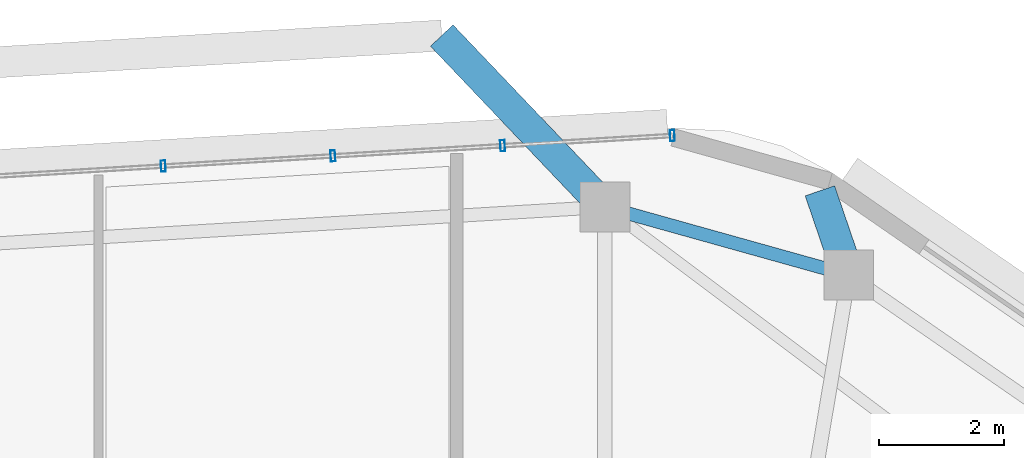
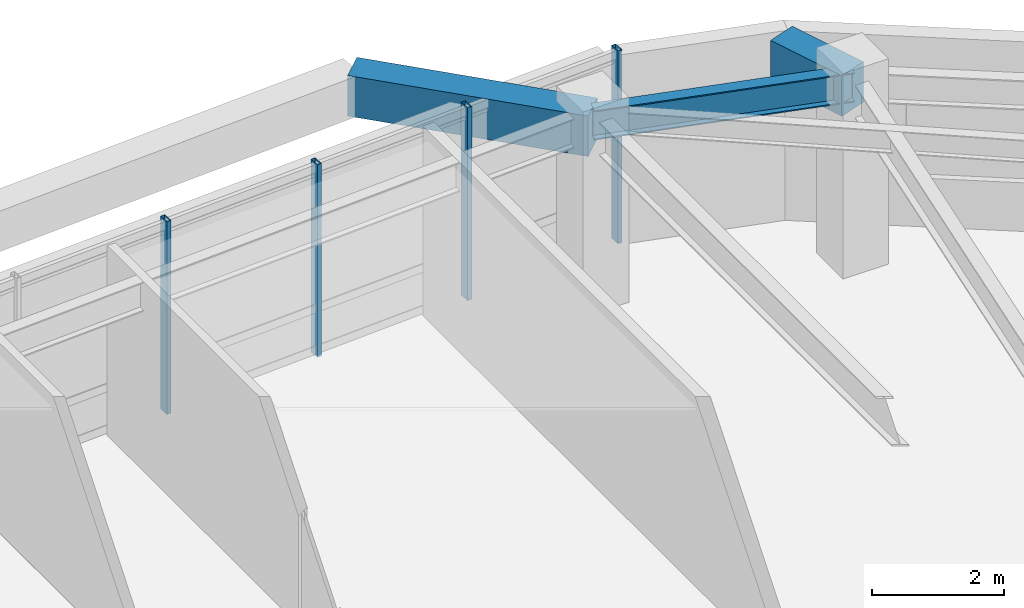
# One storey, part 4 of 12: 4 members, 3 beams, 1 element without a shape of its own.
"""IFC4 building model written with IfcOpenShell, lengths in metres."""

from ifc_helpers import new_model, si_unit, direction, frame, origin, origin_2d, place, context, subcontext, project, spatial, rectangle, hollow_rectangle, i_section, extrude, material, material_profile, profile_set, type_object, element, aggregate, save


model = new_model("IFC4")

# Units and contexts
model_context = context("Model", 3, precision=1e-05, world=origin(), true_north=direction((0.0, 1.0)))
body_context = subcontext(model_context, "Body", "Model", "MODEL_VIEW")
ifc_project = project(units=[si_unit("LENGTHUNIT", "METRE"), si_unit("AREAUNIT", "SQUARE_METRE"), si_unit("VOLUMEUNIT", "CUBIC_METRE"), si_unit("PLANEANGLEUNIT", "RADIAN"), si_unit("MASSUNIT", "GRAM", prefix="KILO")], contexts=[model_context])

# Site, building, storey
site_placement = place(None, origin())
site = spatial("IfcSite", under=ifc_project, at=site_placement, CompositionType="ELEMENT")
building_placement = place(site_placement, origin())
building = spatial("IfcBuilding", under=site, at=building_placement, Name="Zulverin Broadcast Headquarters", CompositionType="ELEMENT")
storey_placement = place(building_placement, frame((0.0, 0.0, 240.199951171875)))
storey = spatial("IfcBuildingStorey", under=building, at=storey_placement, Name="L61", CompositionType="ELEMENT", Elevation=240.199951171875)

# Beams
ifc_material_1 = material(Name="Concrete C40/50", Category="concrete")
ifc_material_profile_1 = material_profile(ifc_material_1, rectangle(XDim=0.5, YDim=0.75, at=origin_2d()), Name="Concrete C40/50", Category="concrete")
ifc_profile_set_1 = profile_set([ifc_material_profile_1], Name="Concrete C40/50")
beam_type_1 = type_object("IfcBeamType", Name="BM-RC-500x750", PredefinedType="BEAM", material=ifc_profile_set_1)
beam_1_placement = place(storey_placement, frame((50.39794921875, 46.554443359375, 3.135009765625), z_axis=(-0.323542873341, 0.946213511376, 0.0), x_axis=(-0.946213511376, -0.323542873341, 0.0)))
element("IfcBeam", 1, at=beam_1_placement, inside=storey, type_object=beam_type_1, Name="L62 Plate Overhang Back-Spanned Beam OVR-08", PredefinedType="BEAM", context=body_context, shape_type="SweptSolid", body=[
    extrude(rectangle(XDim=0.5, YDim=0.75, at=origin_2d()), origin(), (0.0, 0.0, 1.0), 1.429931640625),
])
beam_2_placement = place(storey_placement, frame((46.4814453125, 47.6484375, 3.135009765625), z_axis=(-0.689382393643, 0.724397622397, 0.0), x_axis=(-0.724397622397, -0.689382393643, 0.0)))
element("IfcBeam", 2, at=beam_2_placement, inside=storey, type_object=beam_type_1, Name="L62 Balcony Column-Framed Cantilever BAL_N-1", PredefinedType="BEAM", context=body_context, shape_type="SweptSolid", body=[
    extrude(rectangle(XDim=0.5, YDim=0.75, at=origin_2d()), origin(), (0.0, 0.0, 1.0), 3.800048828125),
])
ifc_material_2 = material(Name="Structural steel S355JR", Category="steel")
ifc_material_profile_2 = material_profile(ifc_material_2, i_section(OverallWidth=0.2119140625, OverallDepth=0.54443359375, WebThickness=0.0126953125, FlangeThickness=0.021240234375, at=origin_2d()), Name="Structural steel S355JR", Category="steel")
ifc_profile_set_2 = profile_set([ifc_material_profile_2], Name="Structural steel S355JR")
beam_type_2 = type_object("IfcBeamType", Name="BM-UB-533", PredefinedType="SPANDREL", material=ifc_profile_set_2)
beam_3_placement = place(storey_placement, frame((50.39794921875, 46.554443359375, 3.23779296875), z_axis=(-0.963131566005, 0.26903082828, 0.0), x_axis=(-0.26903082828, -0.963131566005, 0.0)))
element("IfcBeam", 3, at=beam_3_placement, inside=storey, type_object=beam_type_2, Name="L61 Perimeter Spandrel Beam SP-08", PredefinedType="SPANDREL", context=body_context, shape_type="SweptSolid", body=[
    extrude(i_section(OverallWidth=0.2119140625, OverallDepth=0.54443359375, WebThickness=0.0126953125, FlangeThickness=0.021240234375, at=origin_2d()), origin(), (0.0, 0.0, 1.0), 4.06640625),
])

# Curtain wall, members
ifc_material_3 = material(Name="High-zone solar-control unitised curtain wall", Category="aluminium")
curtain_wall_type = type_object("IfcCurtainWallType", Name="CW-TWR-UPP", PredefinedType="USERDEFINED", material=ifc_material_3)
curtain_wall_placement = place(storey_placement, origin())
curtain_wall = element("IfcCurtainWall", 4, at=curtain_wall_placement, inside=storey, type_object=curtain_wall_type, Name="L61 Unitised Curtain Wall CW-L61-E5", ObjectType="UNITISED CURTAIN WALL", PredefinedType="USERDEFINED")
ifc_material_4 = material(Name="Anodized pale-metal aluminium alloy 6063-T6", Category="aluminium")
ifc_material_profile_3 = material_profile(ifc_material_4, hollow_rectangle(XDim=0.074951171875, YDim=0.179931640625, WallThickness=0.0048828125, at=origin_2d()), Name="Anodized pale-metal aluminium alloy 6063-T6", Category="aluminium")
ifc_profile_set_3 = profile_set([ifc_material_profile_3], Name="Anodized pale-metal aluminium alloy 6063-T6")
member_type = type_object("IfcMemberType", Name="CW-MUL-180", PredefinedType="MULLION", material=ifc_profile_set_3)
member_1_placement = place(storey_placement, frame((47.564697265625, 48.79541015625, -0.030029296875), z_axis=(0.0, 0.0, 1.0), x_axis=(-0.99820257679, -0.059930090026, 0.0)))
member_1 = element("IfcMember", 5, at=member_1_placement, type_object=member_type, Name="CW-L61-E5 Mullion 00", PredefinedType="MULLION", context=body_context, shape_type="SweptSolid", body=[
    extrude(hollow_rectangle(XDim=0.074951171875, YDim=0.179931640625, WallThickness=0.0048828125, at=origin_2d()), origin(), (0.0, 0.0, 1.0), 3.570068359375),
])
member_2_placement = place(storey_placement, frame((44.83935546875, 48.6318359375, -0.030029296875), z_axis=(0.0, 0.0, 1.0), x_axis=(-0.99820257679, -0.059930090026, 0.0)))
member_2 = element("IfcMember", 6, at=member_2_placement, type_object=member_type, Name="CW-L61-E5 Mullion 01", PredefinedType="MULLION", context=body_context, shape_type="SweptSolid", body=[
    extrude(hollow_rectangle(XDim=0.074951171875, YDim=0.179931640625, WallThickness=0.0048828125, at=origin_2d()), origin(), (0.0, 0.0, 1.0), 3.570068359375),
])
member_3_placement = place(storey_placement, frame((42.1142578125, 48.46826171875, -0.030029296875), z_axis=(0.0, 0.0, 1.0), x_axis=(-0.99820257679, -0.059930090026, 0.0)))
member_3 = element("IfcMember", 7, at=member_3_placement, type_object=member_type, Name="CW-L61-E5 Mullion 02", PredefinedType="MULLION", context=body_context, shape_type="SweptSolid", body=[
    extrude(hollow_rectangle(XDim=0.074951171875, YDim=0.179931640625, WallThickness=0.0048828125, at=origin_2d()), origin(), (0.0, 0.0, 1.0), 3.570068359375),
])
member_4_placement = place(storey_placement, frame((39.388916015625, 48.3046875, -0.030029296875), z_axis=(0.0, 0.0, 1.0), x_axis=(-0.99820257679, -0.059930090026, 0.0)))
member_4 = element("IfcMember", 8, at=member_4_placement, type_object=member_type, Name="CW-L61-E5 Mullion 03", PredefinedType="MULLION", context=body_context, shape_type="SweptSolid", body=[
    extrude(hollow_rectangle(XDim=0.074951171875, YDim=0.179931640625, WallThickness=0.0048828125, at=origin_2d()), origin(), (0.0, 0.0, 1.0), 3.570068359375),
])
aggregate(curtain_wall, [member_1, member_2, member_3, member_4])

save(model, "model.ifc")
